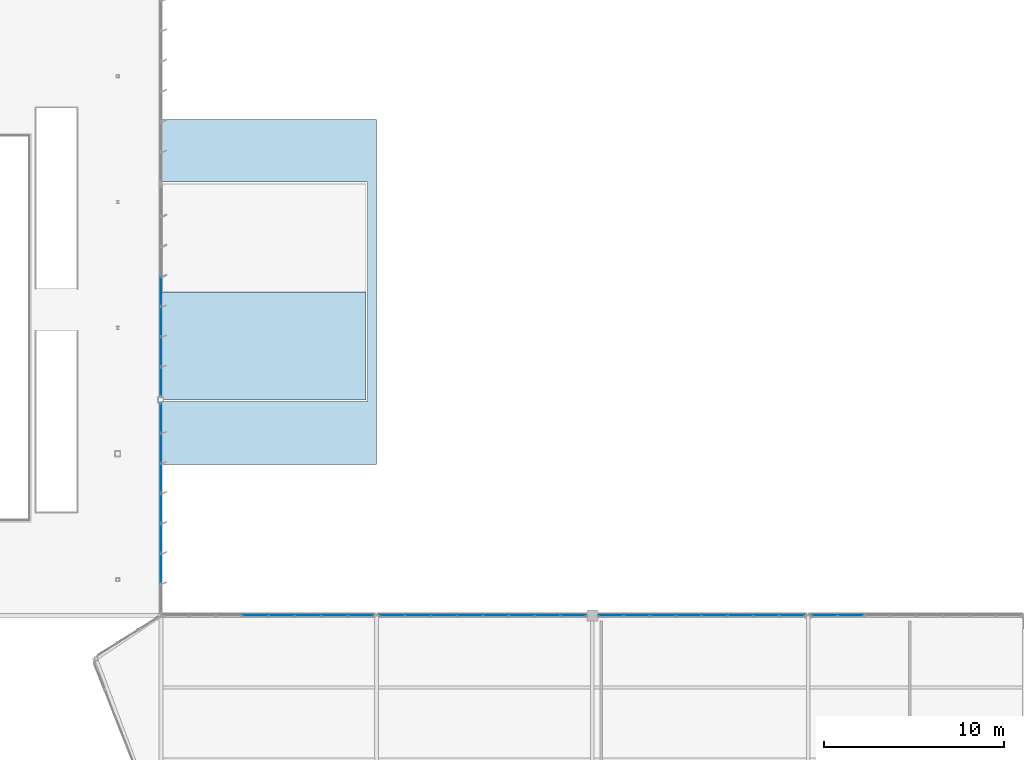
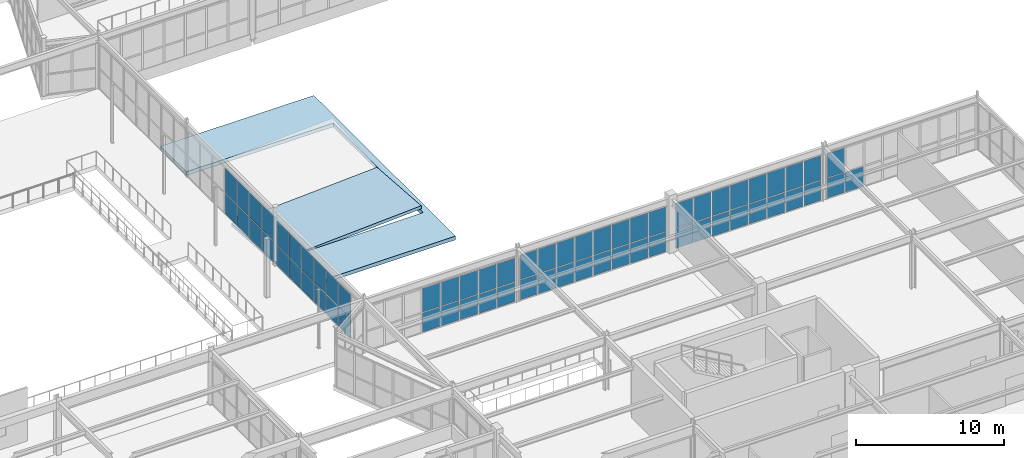
# One storey, part 146 of 226: 65 plates, 2 slabs, 6 elements without a shape of their own.
"""IFC4 building model written with IfcOpenShell, lengths in metres."""

from ifc_helpers import new_model, si_unit, direction, frame, origin, origin_2d, place, context, subcontext, project, spatial, polyline, rectangle, outline, extrude, material, layer, layer_set, type_object, element, aggregate, save


model = new_model("IFC4")

# Units and contexts
model_context = context("Model", 3, precision=1e-05, world=origin(), true_north=direction((0.0, 1.0)))
body_context = subcontext(model_context, "Body", "Model", "MODEL_VIEW")
ifc_project = project(units=[si_unit("LENGTHUNIT", "METRE"), si_unit("AREAUNIT", "SQUARE_METRE"), si_unit("VOLUMEUNIT", "CUBIC_METRE"), si_unit("PLANEANGLEUNIT", "RADIAN"), si_unit("MASSUNIT", "GRAM", prefix="KILO")], contexts=[model_context])

# Site, building, storey
site_placement = place(None, origin())
site = spatial("IfcSite", under=ifc_project, at=site_placement, CompositionType="ELEMENT")
building_placement = place(site_placement, origin())
building = spatial("IfcBuilding", under=site, at=building_placement, Name="Tarnwether General Hospital", CompositionType="ELEMENT")
storey_placement = place(building_placement, frame((0.0, 0.0, 4.800048828125)))
storey = spatial("IfcBuildingStorey", under=building, at=storey_placement, Name="L01", CompositionType="ELEMENT", Elevation=4.800048828125)

# Curtain wall, plates
ifc_material_1 = material(Name="Anodised aluminium", Category="aluminium")
ifc_layer_1 = layer(ifc_material_1, 0.179931640625)
ifc_layer_set_1 = layer_set([ifc_layer_1], Name="Anodised aluminium")
curtain_wall_type_1 = type_object("IfcCurtainWallType", Name="CW-06", PredefinedType="NOTDEFINED", material=ifc_layer_set_1)
curtain_wall_1_placement = place(storey_placement, origin())
curtain_wall_1 = element("IfcCurtainWall", 1, at=curtain_wall_1_placement, inside=storey, type_object=curtain_wall_type_1, Name="Curtain Wall CWG-L01-1440_695-0337", PredefinedType="NOTDEFINED")
ifc_material_2 = material(Name="Double glazed low-E glass", Category="glass")
ifc_layer_2 = layer(ifc_material_2, 0.028076171875)
ifc_layer_set_2 = layer_set([ifc_layer_2], Name="Double glazed low-E glass")
plate_type = type_object("IfcPlateType", Name="PT-CWP1", PredefinedType="CURTAIN_PANEL", material=ifc_layer_set_2)
plate_1_placement = place(storey_placement, frame((144.0, 63.6298828125, 0.06005859375), z_axis=(0.0, 0.0, 1.0), x_axis=(0.0, -1.0, 0.0)))
plate_1 = element("IfcPlate", 2, at=plate_1_placement, type_object=plate_type, Name="CW-06 panel 4.1", PredefinedType="CURTAIN_PANEL", context=body_context, shape_type="SweptSolid", body=[
    extrude(rectangle(XDim=1.6142578125, YDim=0.028076171875, at=origin_2d()), origin(), (0.0, 0.0, 1.0), 1.66357421875),
])
plate_2_placement = place(storey_placement, frame((144.0, 63.6298828125, 1.78369140625), z_axis=(0.0, 0.0, 1.0), x_axis=(0.0, -1.0, 0.0)))
plate_2 = element("IfcPlate", 3, at=plate_2_placement, type_object=plate_type, Name="CW-06 panel 4.2", PredefinedType="CURTAIN_PANEL", context=body_context, shape_type="SweptSolid", body=[
    extrude(rectangle(XDim=1.6142578125, YDim=0.028076171875, at=origin_2d()), origin(), (0.0, 0.0, 1.0), 2.053466796875),
])
plate_3_placement = place(storey_placement, frame((144.0, 61.955810546875, 0.06005859375), z_axis=(0.0, 0.0, 1.0), x_axis=(0.0, -1.0, 0.0)))
plate_3 = element("IfcPlate", 4, at=plate_3_placement, type_object=plate_type, Name="CW-06 panel 5.1", PredefinedType="CURTAIN_PANEL", context=body_context, shape_type="SweptSolid", body=[
    extrude(rectangle(XDim=1.6142578125, YDim=0.028076171875, at=origin_2d()), origin(), (0.0, 0.0, 1.0), 1.66357421875),
])
plate_4_placement = place(storey_placement, frame((144.0, 61.955810546875, 1.78369140625), z_axis=(0.0, 0.0, 1.0), x_axis=(0.0, -1.0, 0.0)))
plate_4 = element("IfcPlate", 5, at=plate_4_placement, type_object=plate_type, Name="CW-06 panel 5.2", PredefinedType="CURTAIN_PANEL", context=body_context, shape_type="SweptSolid", body=[
    extrude(rectangle(XDim=1.6142578125, YDim=0.028076171875, at=origin_2d()), origin(), (0.0, 0.0, 1.0), 2.053466796875),
])
plate_5_placement = place(storey_placement, frame((144.0, 60.281494140625, 0.06005859375), z_axis=(0.0, 0.0, 1.0), x_axis=(0.0, -1.0, 0.0)))
plate_5 = element("IfcPlate", 6, at=plate_5_placement, type_object=plate_type, Name="CW-06 panel 6.1", PredefinedType="CURTAIN_PANEL", context=body_context, shape_type="SweptSolid", body=[
    extrude(rectangle(XDim=1.6142578125, YDim=0.028076171875, at=origin_2d()), origin(), (0.0, 0.0, 1.0), 1.66357421875),
])
plate_6_placement = place(storey_placement, frame((144.0, 60.281494140625, 1.78369140625), z_axis=(0.0, 0.0, 1.0), x_axis=(0.0, -1.0, 0.0)))
plate_6 = element("IfcPlate", 7, at=plate_6_placement, type_object=plate_type, Name="CW-06 panel 6.2", PredefinedType="CURTAIN_PANEL", context=body_context, shape_type="SweptSolid", body=[
    extrude(rectangle(XDim=1.6142578125, YDim=0.028076171875, at=origin_2d()), origin(), (0.0, 0.0, 1.0), 2.053466796875),
])
plate_7_placement = place(storey_placement, frame((144.0, 58.6220703125, 0.06005859375), z_axis=(0.0, 0.0, 1.0), x_axis=(0.0, -1.0, 0.0)))
plate_7 = element("IfcPlate", 8, at=plate_7_placement, type_object=plate_type, Name="CW-06 panel 7.1", PredefinedType="CURTAIN_PANEL", context=body_context, shape_type="SweptSolid", body=[
    extrude(rectangle(XDim=1.584228515625, YDim=0.028076171875, at=origin_2d()), origin(), (0.0, 0.0, 1.0), 1.66357421875),
])
plate_8_placement = place(storey_placement, frame((144.0, 58.6220703125, 1.78369140625), z_axis=(0.0, 0.0, 1.0), x_axis=(0.0, -1.0, 0.0)))
plate_8 = element("IfcPlate", 9, at=plate_8_placement, type_object=plate_type, Name="CW-06 panel 7.2", PredefinedType="CURTAIN_PANEL", context=body_context, shape_type="SweptSolid", body=[
    extrude(rectangle(XDim=1.584228515625, YDim=0.028076171875, at=origin_2d()), origin(), (0.0, 0.0, 1.0), 2.053466796875),
])
aggregate(curtain_wall_1, [plate_1, plate_2, plate_3, plate_4, plate_5, plate_6, plate_7, plate_8])

curtain_wall_2_placement = place(storey_placement, origin())
curtain_wall_2 = element("IfcCurtainWall", 10, at=curtain_wall_2_placement, inside=storey, type_object=curtain_wall_type_1, Name="Curtain Wall CWG-L01-1440_574-0338", PredefinedType="NOTDEFINED")
plate_9_placement = place(storey_placement, frame((144.0, 56.578125, 0.06005859375), z_axis=(0.0, 0.0, 1.0), x_axis=(0.0, -1.0, 0.0)))
plate_9 = element("IfcPlate", 11, at=plate_9_placement, type_object=plate_type, Name="CW-06 panel 1.1", PredefinedType="CURTAIN_PANEL", context=body_context, shape_type="SweptSolid", body=[
    extrude(rectangle(XDim=1.583740234375, YDim=0.028076171875, at=origin_2d()), origin(), (0.0, 0.0, 1.0), 1.592041015625),
])
plate_10_placement = place(storey_placement, frame((144.0, 56.578125, 1.712158203125), z_axis=(0.0, 0.0, 1.0), x_axis=(0.0, -1.0, 0.0)))
plate_10 = element("IfcPlate", 12, at=plate_10_placement, type_object=plate_type, Name="CW-06 panel 1.2", PredefinedType="CURTAIN_PANEL", context=body_context, shape_type="SweptSolid", body=[
    extrude(rectangle(XDim=1.583740234375, YDim=0.028076171875, at=origin_2d()), origin(), (0.0, 0.0, 1.0), 1.9658203125),
])
plate_11_placement = place(storey_placement, frame((144.0, 54.919189453125, 0.06005859375), z_axis=(0.0, 0.0, 1.0), x_axis=(0.0, -1.0, 0.0)))
plate_11 = element("IfcPlate", 13, at=plate_11_placement, type_object=plate_type, Name="CW-06 panel 2.1", PredefinedType="CURTAIN_PANEL", context=body_context, shape_type="SweptSolid", body=[
    extrude(rectangle(XDim=1.61376953125, YDim=0.028076171875, at=origin_2d()), origin(), (0.0, 0.0, 1.0), 1.592041015625),
])
plate_12_placement = place(storey_placement, frame((144.0, 54.919189453125, 1.712158203125), z_axis=(0.0, 0.0, 1.0), x_axis=(0.0, -1.0, 0.0)))
plate_12 = element("IfcPlate", 14, at=plate_12_placement, type_object=plate_type, Name="CW-06 panel 2.2", PredefinedType="CURTAIN_PANEL", context=body_context, shape_type="SweptSolid", body=[
    extrude(rectangle(XDim=1.61376953125, YDim=0.028076171875, at=origin_2d()), origin(), (0.0, 0.0, 1.0), 1.9658203125),
])
plate_13_placement = place(storey_placement, frame((144.0, 53.245361328125, 0.06005859375), z_axis=(0.0, 0.0, 1.0), x_axis=(0.0, -1.0, 0.0)))
plate_13 = element("IfcPlate", 15, at=plate_13_placement, type_object=plate_type, Name="CW-06 panel 3.1", PredefinedType="CURTAIN_PANEL", context=body_context, shape_type="SweptSolid", body=[
    extrude(rectangle(XDim=1.61376953125, YDim=0.028076171875, at=origin_2d()), origin(), (0.0, 0.0, 1.0), 1.592041015625),
])
plate_14_placement = place(storey_placement, frame((144.0, 53.245361328125, 1.712158203125), z_axis=(0.0, 0.0, 1.0), x_axis=(0.0, -1.0, 0.0)))
plate_14 = element("IfcPlate", 16, at=plate_14_placement, type_object=plate_type, Name="CW-06 panel 3.2", PredefinedType="CURTAIN_PANEL", context=body_context, shape_type="SweptSolid", body=[
    extrude(rectangle(XDim=1.61376953125, YDim=0.028076171875, at=origin_2d()), origin(), (0.0, 0.0, 1.0), 1.9658203125),
])
plate_15_placement = place(storey_placement, frame((144.0, 51.571533203125, 0.06005859375), z_axis=(0.0, 0.0, 1.0), x_axis=(0.0, -1.0, 0.0)))
plate_15 = element("IfcPlate", 17, at=plate_15_placement, type_object=plate_type, Name="CW-06 panel 4.1", PredefinedType="CURTAIN_PANEL", context=body_context, shape_type="SweptSolid", body=[
    extrude(rectangle(XDim=1.61376953125, YDim=0.028076171875, at=origin_2d()), origin(), (0.0, 0.0, 1.0), 1.592041015625),
])
plate_16_placement = place(storey_placement, frame((144.0, 51.571533203125, 1.712158203125), z_axis=(0.0, 0.0, 1.0), x_axis=(0.0, -1.0, 0.0)))
plate_16 = element("IfcPlate", 18, at=plate_16_placement, type_object=plate_type, Name="CW-06 panel 4.2", PredefinedType="CURTAIN_PANEL", context=body_context, shape_type="SweptSolid", body=[
    extrude(rectangle(XDim=1.61376953125, YDim=0.028076171875, at=origin_2d()), origin(), (0.0, 0.0, 1.0), 1.9658203125),
])
plate_17_placement = place(storey_placement, frame((144.0, 49.897705078125, 0.06005859375), z_axis=(0.0, 0.0, 1.0), x_axis=(0.0, -1.0, 0.0)))
plate_17 = element("IfcPlate", 19, at=plate_17_placement, type_object=plate_type, Name="CW-06 panel 5.1", PredefinedType="CURTAIN_PANEL", context=body_context, shape_type="SweptSolid", body=[
    extrude(rectangle(XDim=1.61376953125, YDim=0.028076171875, at=origin_2d()), origin(), (0.0, 0.0, 1.0), 1.592041015625),
])
plate_18_placement = place(storey_placement, frame((144.0, 49.897705078125, 1.712158203125), z_axis=(0.0, 0.0, 1.0), x_axis=(0.0, -1.0, 0.0)))
plate_18 = element("IfcPlate", 20, at=plate_18_placement, type_object=plate_type, Name="CW-06 panel 5.2", PredefinedType="CURTAIN_PANEL", context=body_context, shape_type="SweptSolid", body=[
    extrude(rectangle(XDim=1.61376953125, YDim=0.028076171875, at=origin_2d()), origin(), (0.0, 0.0, 1.0), 1.9658203125),
])
plate_19_placement = place(storey_placement, frame((144.0, 48.223876953125, 0.06005859375), z_axis=(0.0, 0.0, 1.0), x_axis=(0.0, -1.0, 0.0)))
plate_19 = element("IfcPlate", 21, at=plate_19_placement, type_object=plate_type, Name="CW-06 panel 6.1", PredefinedType="CURTAIN_PANEL", context=body_context, shape_type="SweptSolid", body=[
    extrude(rectangle(XDim=1.61376953125, YDim=0.028076171875, at=origin_2d()), origin(), (0.0, 0.0, 1.0), 1.592041015625),
])
plate_20_placement = place(storey_placement, frame((144.0, 48.223876953125, 1.712158203125), z_axis=(0.0, 0.0, 1.0), x_axis=(0.0, -1.0, 0.0)))
plate_20 = element("IfcPlate", 22, at=plate_20_placement, type_object=plate_type, Name="CW-06 panel 6.2", PredefinedType="CURTAIN_PANEL", context=body_context, shape_type="SweptSolid", body=[
    extrude(rectangle(XDim=1.61376953125, YDim=0.028076171875, at=origin_2d()), origin(), (0.0, 0.0, 1.0), 1.9658203125),
])
aggregate(curtain_wall_2, [plate_9, plate_10, plate_11, plate_12, plate_13, plate_14, plate_15, plate_16, plate_17, plate_18, plate_19, plate_20])

ifc_material_3 = material(Name="Anodised aluminium", Category="aluminium")
ifc_layer_3 = layer(ifc_material_3, 0.159912109375)
ifc_layer_set_3 = layer_set([ifc_layer_3], Name="Anodised aluminium")
curtain_wall_type_2 = type_object("IfcCurtainWallType", Name="CW-18", PredefinedType="NOTDEFINED", material=ifc_layer_set_3)
curtain_wall_3_placement = place(storey_placement, origin())
curtain_wall_3 = element("IfcCurtainWall", 23, at=curtain_wall_3_placement, inside=storey, type_object=curtain_wall_type_2, Name="Curtain Wall CWG-L01-1441_456-0379", PredefinedType="NOTDEFINED")
plate_21_placement = place(storey_placement, frame((149.251953125, 45.60009765625, 0.06005859375), z_axis=(0.0, 0.0, 1.0), x_axis=(1.0, 0.0, 0.0)))
plate_21 = element("IfcPlate", 24, at=plate_21_placement, type_object=plate_type, Name="CW-18 panel 4.1", PredefinedType="CURTAIN_PANEL", context=body_context, shape_type="SweptSolid", body=[
    extrude(rectangle(XDim=1.408935546875, YDim=0.028076171875, at=origin_2d()), origin(), (0.0, 0.0, 1.0), 1.592041015625),
])
plate_22_placement = place(storey_placement, frame((149.251953125, 45.60009765625, 1.712158203125), z_axis=(0.0, 0.0, 1.0), x_axis=(1.0, 0.0, 0.0)))
plate_22 = element("IfcPlate", 25, at=plate_22_placement, type_object=plate_type, Name="CW-18 panel 4.2", PredefinedType="CURTAIN_PANEL", context=body_context, shape_type="SweptSolid", body=[
    extrude(rectangle(XDim=1.408935546875, YDim=0.028076171875, at=origin_2d()), origin(), (0.0, 0.0, 1.0), 1.9658203125),
])
plate_23_placement = place(storey_placement, frame((150.720947265625, 45.60009765625, 0.06005859375), z_axis=(0.0, 0.0, 1.0), x_axis=(1.0, 0.0, 0.0)))
plate_23 = element("IfcPlate", 26, at=plate_23_placement, type_object=plate_type, Name="CW-18 panel 5.1", PredefinedType="CURTAIN_PANEL", context=body_context, shape_type="SweptSolid", body=[
    extrude(rectangle(XDim=1.408935546875, YDim=0.028076171875, at=origin_2d()), origin(), (0.0, 0.0, 1.0), 1.592041015625),
])
plate_24_placement = place(storey_placement, frame((150.720947265625, 45.60009765625, 1.712158203125), z_axis=(0.0, 0.0, 1.0), x_axis=(1.0, 0.0, 0.0)))
plate_24 = element("IfcPlate", 27, at=plate_24_placement, type_object=plate_type, Name="CW-18 panel 5.2", PredefinedType="CURTAIN_PANEL", context=body_context, shape_type="SweptSolid", body=[
    extrude(rectangle(XDim=1.408935546875, YDim=0.028076171875, at=origin_2d()), origin(), (0.0, 0.0, 1.0), 1.9658203125),
])
plate_25_placement = place(storey_placement, frame((152.189697265625, 45.60009765625, 0.06005859375), z_axis=(0.0, 0.0, 1.0), x_axis=(1.0, 0.0, 0.0)))
plate_25 = element("IfcPlate", 28, at=plate_25_placement, type_object=plate_type, Name="CW-18 panel 6.1", PredefinedType="CURTAIN_PANEL", context=body_context, shape_type="SweptSolid", body=[
    extrude(rectangle(XDim=1.408935546875, YDim=0.028076171875, at=origin_2d()), origin(), (0.0, 0.0, 1.0), 1.592041015625),
])
plate_26_placement = place(storey_placement, frame((152.189697265625, 45.60009765625, 1.712158203125), z_axis=(0.0, 0.0, 1.0), x_axis=(1.0, 0.0, 0.0)))
plate_26 = element("IfcPlate", 29, at=plate_26_placement, type_object=plate_type, Name="CW-18 panel 6.2", PredefinedType="CURTAIN_PANEL", context=body_context, shape_type="SweptSolid", body=[
    extrude(rectangle(XDim=1.408935546875, YDim=0.028076171875, at=origin_2d()), origin(), (0.0, 0.0, 1.0), 1.9658203125),
])
plate_27_placement = place(storey_placement, frame((153.65869140625, 45.60009765625, 0.06005859375), z_axis=(0.0, 0.0, 1.0), x_axis=(1.0, 0.0, 0.0)))
plate_27 = element("IfcPlate", 30, at=plate_27_placement, type_object=plate_type, Name="CW-18 panel 7.1", PredefinedType="CURTAIN_PANEL", context=body_context, shape_type="SweptSolid", body=[
    extrude(rectangle(XDim=1.408935546875, YDim=0.028076171875, at=origin_2d()), origin(), (0.0, 0.0, 1.0), 1.592041015625),
])
plate_28_placement = place(storey_placement, frame((153.65869140625, 45.60009765625, 1.712158203125), z_axis=(0.0, 0.0, 1.0), x_axis=(1.0, 0.0, 0.0)))
plate_28 = element("IfcPlate", 31, at=plate_28_placement, type_object=plate_type, Name="CW-18 panel 7.2", PredefinedType="CURTAIN_PANEL", context=body_context, shape_type="SweptSolid", body=[
    extrude(rectangle(XDim=1.408935546875, YDim=0.028076171875, at=origin_2d()), origin(), (0.0, 0.0, 1.0), 1.9658203125),
])
plate_29_placement = place(storey_placement, frame((155.112548828125, 45.60009765625, 0.06005859375), z_axis=(0.0, 0.0, 1.0), x_axis=(1.0, 0.0, 0.0)))
plate_29 = element("IfcPlate", 32, at=plate_29_placement, type_object=plate_type, Name="CW-18 panel 8.1", PredefinedType="CURTAIN_PANEL", context=body_context, shape_type="SweptSolid", body=[
    extrude(rectangle(XDim=1.37890625, YDim=0.028076171875, at=origin_2d()), origin(), (0.0, 0.0, 1.0), 1.592041015625),
])
plate_30_placement = place(storey_placement, frame((155.112548828125, 45.60009765625, 1.712158203125), z_axis=(0.0, 0.0, 1.0), x_axis=(1.0, 0.0, 0.0)))
plate_30 = element("IfcPlate", 33, at=plate_30_placement, type_object=plate_type, Name="CW-18 panel 8.2", PredefinedType="CURTAIN_PANEL", context=body_context, shape_type="SweptSolid", body=[
    extrude(rectangle(XDim=1.37890625, YDim=0.028076171875, at=origin_2d()), origin(), (0.0, 0.0, 1.0), 1.9658203125),
])
aggregate(curtain_wall_3, [plate_21, plate_22, plate_23, plate_24, plate_25, plate_26, plate_27, plate_28, plate_29, plate_30])

curtain_wall_4_placement = place(storey_placement, origin())
curtain_wall_4 = element("IfcCurtainWall", 34, at=curtain_wall_4_placement, inside=storey, type_object=curtain_wall_type_2, Name="Curtain Wall CWG-L01-1561_456-0380", PredefinedType="NOTDEFINED")
plate_31_placement = place(storey_placement, frame((156.875244140625, 45.60009765625, 0.06005859375), z_axis=(0.0, 0.0, 1.0), x_axis=(1.0, 0.0, 0.0)))
plate_31 = element("IfcPlate", 35, at=plate_31_placement, type_object=plate_type, Name="CW-18 panel 1.1", PredefinedType="CURTAIN_PANEL", context=body_context, shape_type="SweptSolid", body=[
    extrude(rectangle(XDim=1.354248046875, YDim=0.028076171875, at=origin_2d()), origin(), (0.0, 0.0, 1.0), 1.628173828125),
])
plate_32_placement = place(storey_placement, frame((156.875244140625, 45.60009765625, 1.748046875), z_axis=(0.0, 0.0, 1.0), x_axis=(1.0, 0.0, 0.0)))
plate_32 = element("IfcPlate", 36, at=plate_32_placement, type_object=plate_type, Name="CW-18 panel 1.2", PredefinedType="CURTAIN_PANEL", context=body_context, shape_type="SweptSolid", body=[
    extrude(rectangle(XDim=1.354248046875, YDim=0.028076171875, at=origin_2d()), origin(), (0.0, 0.0, 1.0), 2.010009765625),
])
plate_33_placement = place(storey_placement, frame((158.304443359375, 45.60009765625, 0.06005859375), z_axis=(0.0, 0.0, 1.0), x_axis=(1.0, 0.0, 0.0)))
plate_33 = element("IfcPlate", 37, at=plate_33_placement, type_object=plate_type, Name="CW-18 panel 2.1", PredefinedType="CURTAIN_PANEL", context=body_context, shape_type="SweptSolid", body=[
    extrude(rectangle(XDim=1.38427734375, YDim=0.028076171875, at=origin_2d()), origin(), (0.0, 0.0, 1.0), 1.628173828125),
])
plate_34_placement = place(storey_placement, frame((158.304443359375, 45.60009765625, 1.748046875), z_axis=(0.0, 0.0, 1.0), x_axis=(1.0, 0.0, 0.0)))
plate_34 = element("IfcPlate", 38, at=plate_34_placement, type_object=plate_type, Name="CW-18 panel 2.2", PredefinedType="CURTAIN_PANEL", context=body_context, shape_type="SweptSolid", body=[
    extrude(rectangle(XDim=1.38427734375, YDim=0.028076171875, at=origin_2d()), origin(), (0.0, 0.0, 1.0), 2.010009765625),
])
plate_35_placement = place(storey_placement, frame((159.74853515625, 45.60009765625, 0.06005859375), z_axis=(0.0, 0.0, 1.0), x_axis=(1.0, 0.0, 0.0)))
plate_35 = element("IfcPlate", 39, at=plate_35_placement, type_object=plate_type, Name="CW-18 panel 3.1", PredefinedType="CURTAIN_PANEL", context=body_context, shape_type="SweptSolid", body=[
    extrude(rectangle(XDim=1.38427734375, YDim=0.028076171875, at=origin_2d()), origin(), (0.0, 0.0, 1.0), 1.628173828125),
])
plate_36_placement = place(storey_placement, frame((159.74853515625, 45.60009765625, 1.748046875), z_axis=(0.0, 0.0, 1.0), x_axis=(1.0, 0.0, 0.0)))
plate_36 = element("IfcPlate", 40, at=plate_36_placement, type_object=plate_type, Name="CW-18 panel 3.2", PredefinedType="CURTAIN_PANEL", context=body_context, shape_type="SweptSolid", body=[
    extrude(rectangle(XDim=1.38427734375, YDim=0.028076171875, at=origin_2d()), origin(), (0.0, 0.0, 1.0), 2.010009765625),
])
plate_37_placement = place(storey_placement, frame((161.19287109375, 45.60009765625, 0.06005859375), z_axis=(0.0, 0.0, 1.0), x_axis=(1.0, 0.0, 0.0)))
plate_37 = element("IfcPlate", 41, at=plate_37_placement, type_object=plate_type, Name="CW-18 panel 4.1", PredefinedType="CURTAIN_PANEL", context=body_context, shape_type="SweptSolid", body=[
    extrude(rectangle(XDim=1.38427734375, YDim=0.028076171875, at=origin_2d()), origin(), (0.0, 0.0, 1.0), 1.628173828125),
])
plate_38_placement = place(storey_placement, frame((161.19287109375, 45.60009765625, 1.748046875), z_axis=(0.0, 0.0, 1.0), x_axis=(1.0, 0.0, 0.0)))
plate_38 = element("IfcPlate", 42, at=plate_38_placement, type_object=plate_type, Name="CW-18 panel 4.2", PredefinedType="CURTAIN_PANEL", context=body_context, shape_type="SweptSolid", body=[
    extrude(rectangle(XDim=1.38427734375, YDim=0.028076171875, at=origin_2d()), origin(), (0.0, 0.0, 1.0), 2.010009765625),
])
plate_39_placement = place(storey_placement, frame((162.63720703125, 45.60009765625, 0.06005859375), z_axis=(0.0, 0.0, 1.0), x_axis=(1.0, 0.0, 0.0)))
plate_39 = element("IfcPlate", 43, at=plate_39_placement, type_object=plate_type, Name="CW-18 panel 5.1", PredefinedType="CURTAIN_PANEL", context=body_context, shape_type="SweptSolid", body=[
    extrude(rectangle(XDim=1.38427734375, YDim=0.028076171875, at=origin_2d()), origin(), (0.0, 0.0, 1.0), 1.628173828125),
])
plate_40_placement = place(storey_placement, frame((162.63720703125, 45.60009765625, 1.748046875), z_axis=(0.0, 0.0, 1.0), x_axis=(1.0, 0.0, 0.0)))
plate_40 = element("IfcPlate", 44, at=plate_40_placement, type_object=plate_type, Name="CW-18 panel 5.2", PredefinedType="CURTAIN_PANEL", context=body_context, shape_type="SweptSolid", body=[
    extrude(rectangle(XDim=1.38427734375, YDim=0.028076171875, at=origin_2d()), origin(), (0.0, 0.0, 1.0), 2.010009765625),
])
plate_41_placement = place(storey_placement, frame((164.081298828125, 45.60009765625, 0.06005859375), z_axis=(0.0, 0.0, 1.0), x_axis=(1.0, 0.0, 0.0)))
plate_41 = element("IfcPlate", 45, at=plate_41_placement, type_object=plate_type, Name="CW-18 panel 6.1", PredefinedType="CURTAIN_PANEL", context=body_context, shape_type="SweptSolid", body=[
    extrude(rectangle(XDim=1.38427734375, YDim=0.028076171875, at=origin_2d()), origin(), (0.0, 0.0, 1.0), 1.628173828125),
])
plate_42_placement = place(storey_placement, frame((164.081298828125, 45.60009765625, 1.748046875), z_axis=(0.0, 0.0, 1.0), x_axis=(1.0, 0.0, 0.0)))
plate_42 = element("IfcPlate", 46, at=plate_42_placement, type_object=plate_type, Name="CW-18 panel 6.2", PredefinedType="CURTAIN_PANEL", context=body_context, shape_type="SweptSolid", body=[
    extrude(rectangle(XDim=1.38427734375, YDim=0.028076171875, at=origin_2d()), origin(), (0.0, 0.0, 1.0), 2.010009765625),
])
plate_43_placement = place(storey_placement, frame((165.525634765625, 45.60009765625, 0.06005859375), z_axis=(0.0, 0.0, 1.0), x_axis=(1.0, 0.0, 0.0)))
plate_43 = element("IfcPlate", 47, at=plate_43_placement, type_object=plate_type, Name="CW-18 panel 7.1", PredefinedType="CURTAIN_PANEL", context=body_context, shape_type="SweptSolid", body=[
    extrude(rectangle(XDim=1.38427734375, YDim=0.028076171875, at=origin_2d()), origin(), (0.0, 0.0, 1.0), 1.628173828125),
])
plate_44_placement = place(storey_placement, frame((165.525634765625, 45.60009765625, 1.748046875), z_axis=(0.0, 0.0, 1.0), x_axis=(1.0, 0.0, 0.0)))
plate_44 = element("IfcPlate", 48, at=plate_44_placement, type_object=plate_type, Name="CW-18 panel 7.2", PredefinedType="CURTAIN_PANEL", context=body_context, shape_type="SweptSolid", body=[
    extrude(rectangle(XDim=1.38427734375, YDim=0.028076171875, at=origin_2d()), origin(), (0.0, 0.0, 1.0), 2.010009765625),
])
plate_45_placement = place(storey_placement, frame((166.954833984375, 45.60009765625, 0.06005859375), z_axis=(0.0, 0.0, 1.0), x_axis=(1.0, 0.0, 0.0)))
plate_45 = element("IfcPlate", 49, at=plate_45_placement, type_object=plate_type, Name="CW-18 panel 8.1", PredefinedType="CURTAIN_PANEL", context=body_context, shape_type="SweptSolid", body=[
    extrude(rectangle(XDim=1.354248046875, YDim=0.028076171875, at=origin_2d()), origin(), (0.0, 0.0, 1.0), 1.628173828125),
])
plate_46_placement = place(storey_placement, frame((166.954833984375, 45.60009765625, 1.748046875), z_axis=(0.0, 0.0, 1.0), x_axis=(1.0, 0.0, 0.0)))
plate_46 = element("IfcPlate", 50, at=plate_46_placement, type_object=plate_type, Name="CW-18 panel 8.2", PredefinedType="CURTAIN_PANEL", context=body_context, shape_type="SweptSolid", body=[
    extrude(rectangle(XDim=1.354248046875, YDim=0.028076171875, at=origin_2d()), origin(), (0.0, 0.0, 1.0), 2.010009765625),
])
aggregate(curtain_wall_4, [plate_31, plate_32, plate_33, plate_34, plate_35, plate_36, plate_37, plate_38, plate_39, plate_40, plate_41, plate_42, plate_43, plate_44, plate_45, plate_46])

curtain_wall_5_placement = place(storey_placement, origin())
curtain_wall_5 = element("IfcCurtainWall", 51, at=curtain_wall_5_placement, inside=storey, type_object=curtain_wall_type_2, Name="Curtain Wall CWG-L01-1683_456-0381", PredefinedType="NOTDEFINED")
plate_47_placement = place(storey_placement, frame((169.043212890625, 45.60009765625, 0.059814453125), z_axis=(0.0, 0.0, 1.0), x_axis=(1.0, 0.0, 0.0)))
plate_47 = element("IfcPlate", 52, at=plate_47_placement, type_object=plate_type, Name="CW-18 panel 1.1", PredefinedType="CURTAIN_PANEL", context=body_context, shape_type="SweptSolid", body=[
    extrude(rectangle(XDim=1.3505859375, YDim=0.028076171875, at=origin_2d()), origin(), (0.0, 0.0, 1.0), 1.63037109375),
])
plate_48_placement = place(storey_placement, frame((169.043212890625, 45.60009765625, 1.750244140625), z_axis=(0.0, 0.0, 1.0), x_axis=(1.0, 0.0, 0.0)))
plate_48 = element("IfcPlate", 53, at=plate_48_placement, type_object=plate_type, Name="CW-18 panel 1.2", PredefinedType="CURTAIN_PANEL", context=body_context, shape_type="SweptSolid", body=[
    extrude(rectangle(XDim=1.3505859375, YDim=0.028076171875, at=origin_2d()), origin(), (0.0, 0.0, 1.0), 2.0126953125),
])
plate_49_placement = place(storey_placement, frame((170.46875, 45.60009765625, 0.059814453125), z_axis=(0.0, 0.0, 1.0), x_axis=(1.0, 0.0, 0.0)))
plate_49 = element("IfcPlate", 54, at=plate_49_placement, type_object=plate_type, Name="CW-18 panel 2.1", PredefinedType="CURTAIN_PANEL", context=body_context, shape_type="SweptSolid", body=[
    extrude(rectangle(XDim=1.380615234375, YDim=0.028076171875, at=origin_2d()), origin(), (0.0, 0.0, 1.0), 1.63037109375),
])
plate_50_placement = place(storey_placement, frame((170.46875, 45.60009765625, 1.750244140625), z_axis=(0.0, 0.0, 1.0), x_axis=(1.0, 0.0, 0.0)))
plate_50 = element("IfcPlate", 55, at=plate_50_placement, type_object=plate_type, Name="CW-18 panel 2.2", PredefinedType="CURTAIN_PANEL", context=body_context, shape_type="SweptSolid", body=[
    extrude(rectangle(XDim=1.380615234375, YDim=0.028076171875, at=origin_2d()), origin(), (0.0, 0.0, 1.0), 2.0126953125),
])
plate_51_placement = place(storey_placement, frame((171.9091796875, 45.60009765625, 0.059814453125), z_axis=(0.0, 0.0, 1.0), x_axis=(1.0, 0.0, 0.0)))
plate_51 = element("IfcPlate", 56, at=plate_51_placement, type_object=plate_type, Name="CW-18 panel 3.1", PredefinedType="CURTAIN_PANEL", context=body_context, shape_type="SweptSolid", body=[
    extrude(rectangle(XDim=1.380615234375, YDim=0.028076171875, at=origin_2d()), origin(), (0.0, 0.0, 1.0), 1.63037109375),
])
plate_52_placement = place(storey_placement, frame((171.9091796875, 45.60009765625, 1.750244140625), z_axis=(0.0, 0.0, 1.0), x_axis=(1.0, 0.0, 0.0)))
plate_52 = element("IfcPlate", 57, at=plate_52_placement, type_object=plate_type, Name="CW-18 panel 3.2", PredefinedType="CURTAIN_PANEL", context=body_context, shape_type="SweptSolid", body=[
    extrude(rectangle(XDim=1.380615234375, YDim=0.028076171875, at=origin_2d()), origin(), (0.0, 0.0, 1.0), 2.0126953125),
])
plate_53_placement = place(storey_placement, frame((173.349853515625, 45.60009765625, 0.059814453125), z_axis=(0.0, 0.0, 1.0), x_axis=(1.0, 0.0, 0.0)))
plate_53 = element("IfcPlate", 58, at=plate_53_placement, type_object=plate_type, Name="CW-18 panel 4.1", PredefinedType="CURTAIN_PANEL", context=body_context, shape_type="SweptSolid", body=[
    extrude(rectangle(XDim=1.380615234375, YDim=0.028076171875, at=origin_2d()), origin(), (0.0, 0.0, 1.0), 1.63037109375),
])
plate_54_placement = place(storey_placement, frame((173.349853515625, 45.60009765625, 1.750244140625), z_axis=(0.0, 0.0, 1.0), x_axis=(1.0, 0.0, 0.0)))
plate_54 = element("IfcPlate", 59, at=plate_54_placement, type_object=plate_type, Name="CW-18 panel 4.2", PredefinedType="CURTAIN_PANEL", context=body_context, shape_type="SweptSolid", body=[
    extrude(rectangle(XDim=1.380615234375, YDim=0.028076171875, at=origin_2d()), origin(), (0.0, 0.0, 1.0), 2.0126953125),
])
plate_55_placement = place(storey_placement, frame((174.790283203125, 45.60009765625, 0.059814453125), z_axis=(0.0, 0.0, 1.0), x_axis=(1.0, 0.0, 0.0)))
plate_55 = element("IfcPlate", 60, at=plate_55_placement, type_object=plate_type, Name="CW-18 panel 5.1", PredefinedType="CURTAIN_PANEL", context=body_context, shape_type="SweptSolid", body=[
    extrude(rectangle(XDim=1.380615234375, YDim=0.028076171875, at=origin_2d()), origin(), (0.0, 0.0, 1.0), 1.63037109375),
])
plate_56_placement = place(storey_placement, frame((174.790283203125, 45.60009765625, 1.750244140625), z_axis=(0.0, 0.0, 1.0), x_axis=(1.0, 0.0, 0.0)))
plate_56 = element("IfcPlate", 61, at=plate_56_placement, type_object=plate_type, Name="CW-18 panel 5.2", PredefinedType="CURTAIN_PANEL", context=body_context, shape_type="SweptSolid", body=[
    extrude(rectangle(XDim=1.380615234375, YDim=0.028076171875, at=origin_2d()), origin(), (0.0, 0.0, 1.0), 2.0126953125),
])
plate_57_placement = place(storey_placement, frame((176.230712890625, 45.60009765625, 0.059814453125), z_axis=(0.0, 0.0, 1.0), x_axis=(1.0, 0.0, 0.0)))
plate_57 = element("IfcPlate", 62, at=plate_57_placement, type_object=plate_type, Name="CW-18 panel 6.1", PredefinedType="CURTAIN_PANEL", context=body_context, shape_type="SweptSolid", body=[
    extrude(rectangle(XDim=1.380615234375, YDim=0.028076171875, at=origin_2d()), origin(), (0.0, 0.0, 1.0), 1.63037109375),
])
plate_58_placement = place(storey_placement, frame((176.230712890625, 45.60009765625, 1.750244140625), z_axis=(0.0, 0.0, 1.0), x_axis=(1.0, 0.0, 0.0)))
plate_58 = element("IfcPlate", 63, at=plate_58_placement, type_object=plate_type, Name="CW-18 panel 6.2", PredefinedType="CURTAIN_PANEL", context=body_context, shape_type="SweptSolid", body=[
    extrude(rectangle(XDim=1.380615234375, YDim=0.028076171875, at=origin_2d()), origin(), (0.0, 0.0, 1.0), 2.0126953125),
])
plate_59_placement = place(storey_placement, frame((177.671142578125, 45.60009765625, 0.059814453125), z_axis=(0.0, 0.0, 1.0), x_axis=(1.0, 0.0, 0.0)))
plate_59 = element("IfcPlate", 64, at=plate_59_placement, type_object=plate_type, Name="CW-18 panel 7.1", PredefinedType="CURTAIN_PANEL", context=body_context, shape_type="SweptSolid", body=[
    extrude(rectangle(XDim=1.380615234375, YDim=0.028076171875, at=origin_2d()), origin(), (0.0, 0.0, 1.0), 1.63037109375),
])
plate_60_placement = place(storey_placement, frame((177.671142578125, 45.60009765625, 1.750244140625), z_axis=(0.0, 0.0, 1.0), x_axis=(1.0, 0.0, 0.0)))
plate_60 = element("IfcPlate", 65, at=plate_60_placement, type_object=plate_type, Name="CW-18 panel 7.2", PredefinedType="CURTAIN_PANEL", context=body_context, shape_type="SweptSolid", body=[
    extrude(rectangle(XDim=1.380615234375, YDim=0.028076171875, at=origin_2d()), origin(), (0.0, 0.0, 1.0), 2.0126953125),
])
plate_61_placement = place(storey_placement, frame((179.0966796875, 45.60009765625, 0.059814453125), z_axis=(0.0, 0.0, 1.0), x_axis=(1.0, 0.0, 0.0)))
plate_61 = element("IfcPlate", 66, at=plate_61_placement, type_object=plate_type, Name="CW-18 panel 8.1", PredefinedType="CURTAIN_PANEL", context=body_context, shape_type="SweptSolid", body=[
    extrude(rectangle(XDim=1.3505859375, YDim=0.028076171875, at=origin_2d()), origin(), (0.0, 0.0, 1.0), 1.63037109375),
])
plate_62_placement = place(storey_placement, frame((179.0966796875, 45.60009765625, 1.750244140625), z_axis=(0.0, 0.0, 1.0), x_axis=(1.0, 0.0, 0.0)))
plate_62 = element("IfcPlate", 67, at=plate_62_placement, type_object=plate_type, Name="CW-18 panel 8.2", PredefinedType="CURTAIN_PANEL", context=body_context, shape_type="SweptSolid", body=[
    extrude(rectangle(XDim=1.3505859375, YDim=0.028076171875, at=origin_2d()), origin(), (0.0, 0.0, 1.0), 2.0126953125),
])
aggregate(curtain_wall_5, [plate_47, plate_48, plate_49, plate_50, plate_51, plate_52, plate_53, plate_54, plate_55, plate_56, plate_57, plate_58, plate_59, plate_60, plate_61, plate_62])

curtain_wall_6_placement = place(storey_placement, origin())
curtain_wall_6 = element("IfcCurtainWall", 68, at=curtain_wall_6_placement, inside=storey, type_object=curtain_wall_type_2, Name="Curtain Wall CWG-L01-1802_456-0382", PredefinedType="NOTDEFINED")
plate_63_placement = place(storey_placement, frame((180.917236328125, 45.60009765625, 0.06005859375), z_axis=(0.0, 0.0, 1.0), x_axis=(1.0, 0.0, 0.0)))
plate_63 = element("IfcPlate", 69, at=plate_63_placement, type_object=plate_type, Name="CW-18 panel 1.1", PredefinedType="CURTAIN_PANEL", context=body_context, shape_type="SweptSolid", body=[
    extrude(rectangle(XDim=1.37841796875, YDim=0.028076171875, at=origin_2d()), origin(), (0.0, 0.0, 1.0), 1.632568359375),
])
plate_64_placement = place(storey_placement, frame((180.917236328125, 45.60009765625, 1.75244140625), z_axis=(0.0, 0.0, 1.0), x_axis=(1.0, 0.0, 0.0)))
plate_64 = element("IfcPlate", 70, at=plate_64_placement, type_object=plate_type, Name="CW-18 panel 1.2", PredefinedType="CURTAIN_PANEL", context=body_context, shape_type="SweptSolid", body=[
    extrude(rectangle(XDim=1.37841796875, YDim=0.028076171875, at=origin_2d()), origin(), (0.0, 0.0, 1.0), 2.015380859375),
])
plate_65_placement = place(storey_placement, frame((182.370849609375, 45.60009765625, 0.06005859375), z_axis=(0.0, 0.0, 1.0), x_axis=(1.0, 0.0, 0.0)))
plate_65 = element("IfcPlate", 71, at=plate_65_placement, type_object=plate_type, Name="CW-18 panel 2.1", PredefinedType="CURTAIN_PANEL", context=body_context, shape_type="SweptSolid", body=[
    extrude(rectangle(XDim=1.408447265625, YDim=0.028076171875, at=origin_2d()), origin(), (0.0, 0.0, 1.0), 1.632568359375),
])
aggregate(curtain_wall_6, [plate_63, plate_64, plate_65])

# Slabs
ifc_material_4 = material(Name="Concrete 40 MPa", Category="concrete")
ifc_layer_4 = layer(ifc_material_4, 0.31005859375)
ifc_layer_set_4 = layer_set([ifc_layer_4], Name="Concrete 40 MPa")
slab_type_1 = type_object("IfcSlabType", Name="SL-RF160", PredefinedType="ROOF", material=ifc_layer_set_4)
slab_1_placement = place(storey_placement, origin())
element("IfcSlab", 72, at=slab_1_placement, inside=storey, type_object=slab_type_1, Name="Main Entrance Canopy Roof Slab SL-L01-ENTRF", PredefinedType="ROOF", context=body_context, shape_type="SweptSolid", body=[
    extrude(outline(polyline([(144.0, 73.199951171875), (156.0, 73.199951171875), (156.0, 54.0), (144.0, 54.0), (144.0, 57.5), (155.5, 57.5), (155.5, 69.699951171875), (144.0, 69.699951171875), (144.0, 73.199951171875)])), origin(), (0.0, 0.0, 1.0), 0.31005859375),
])
ifc_material_5 = material(Name="Concrete 40 MPa", Category="concrete")
ifc_layer_5 = layer(ifc_material_5, 0.239990234375)
ifc_layer_set_5 = layer_set([ifc_layer_5], Name="Concrete 40 MPa")
slab_type_2 = type_object("IfcSlabType", Name="SL-RF240", PredefinedType="ROOF", material=ifc_layer_set_5)
slab_2_placement = place(storey_placement, frame((144.0, 57.60009765625, 0.199951171875), z_axis=(-0.056758190024, 0.074661326614, 0.995592383545), x_axis=(0.998378910832, 0.0, 0.056917048457)))
element("IfcSlab", 73, at=slab_2_placement, inside=storey, type_object=slab_type_2, Name="Main Entrance Folded Canopy South Wing", PredefinedType="ROOF", context=body_context, shape_type="SweptSolid", body=[
    extrude(outline(polyline([(0.0, 0.0), (11.418412608740695, 6.938893903907228e-18), (11.392802716087948, 6.0167931816267375), (-0.025609892652746963, 6.016793181626738), (0.0, 0.0)])), origin(), (0.0, 0.0, -1.0), 0.239990234375),
])

save(model, "model.ifc")
